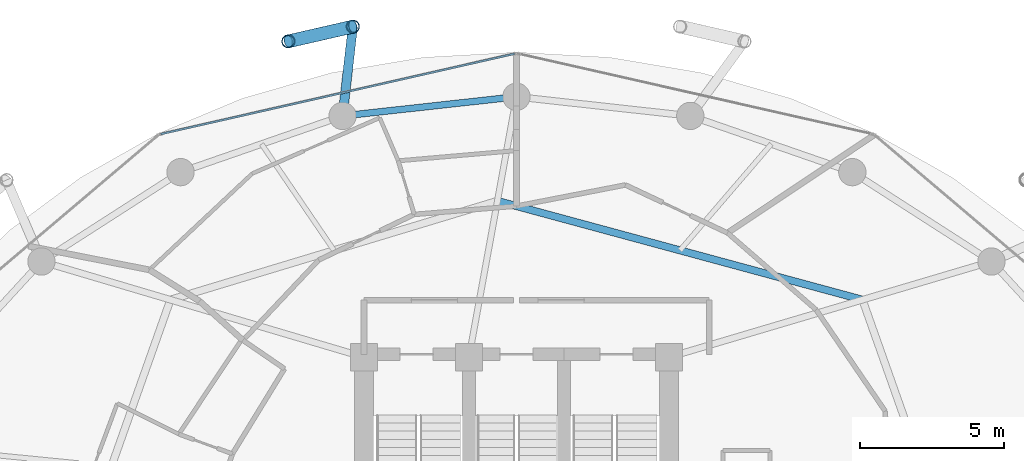
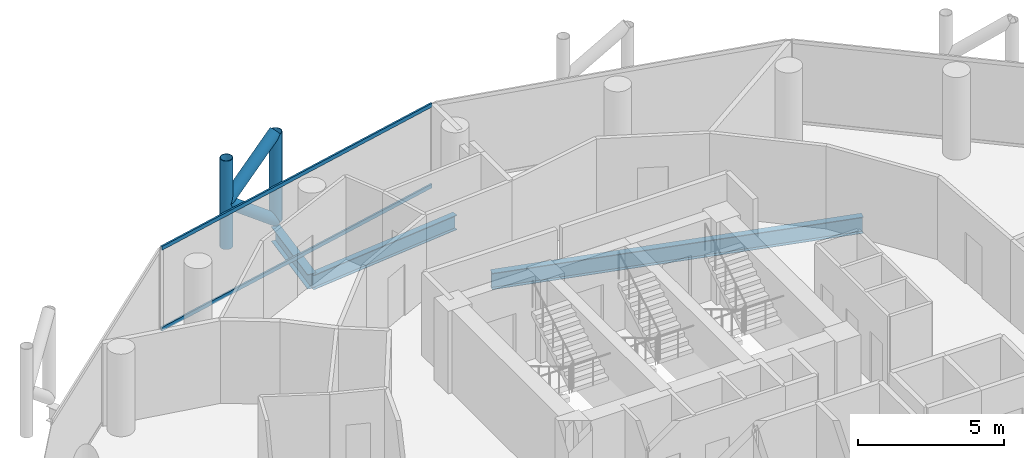
# One storey, part 16 of 26: 6 members, 3 beams, 1 element without a shape of its own.
"""IFC4 building model written with IfcOpenShell, lengths in metres."""

from ifc_helpers import new_model, si_unit, direction, frame, origin, origin_2d, place, context, subcontext, project, spatial, hollow_rectangle, hollow_circle, i_section, extrude, material, layer, layer_set, material_profile, profile_set, type_object, element, aggregate, save


model = new_model("IFC4")

# Units and contexts
model_context = context("Model", 3, precision=1e-05, world=origin(), true_north=direction((0.0, 1.0)))
body_context = subcontext(model_context, "Body", "Model", "MODEL_VIEW")
ifc_project = project(units=[si_unit("LENGTHUNIT", "METRE"), si_unit("AREAUNIT", "SQUARE_METRE"), si_unit("VOLUMEUNIT", "CUBIC_METRE"), si_unit("PLANEANGLEUNIT", "RADIAN"), si_unit("MASSUNIT", "GRAM", prefix="KILO")], contexts=[model_context])

# Site, building, storey
site_placement = place(None, origin())
site = spatial("IfcSite", under=ifc_project, at=site_placement, CompositionType="ELEMENT")
building_placement = place(site_placement, origin())
building = spatial("IfcBuilding", under=site, at=building_placement, Name="Nuhasar Tower", CompositionType="ELEMENT")
storey_placement = place(building_placement, frame((0.0, 0.0, 136.75)))
storey = spatial("IfcBuildingStorey", under=building, at=storey_placement, Name="L32", CompositionType="ELEMENT", Elevation=136.75)

# Beams
ifc_material_1 = material(Name="Steel S355", Category="steel")
ifc_material_profile_1 = material_profile(ifc_material_1, i_section(OverallWidth=0.25390625, OverallDepth=0.68408203125, WebThickness=0.012451171875, FlangeThickness=0.018798828125, at=origin_2d()), Name="W27X94")
ifc_profile_set_1 = profile_set([ifc_material_profile_1], Name="Steel S355")
beam_type_1 = type_object("IfcBeamType", Name="BM-INRING-W27X94", PredefinedType="BEAM", material=ifc_profile_set_1)
beam_1_placement = place(storey_placement, frame((51.027099609375, 39.2939453125, -0.592041015625), z_axis=(-0.96522695776, 0.261413312618, 0.0), x_axis=(-0.261413312618, -0.96522695776, 0.0)))
element("IfcBeam", 1, at=beam_1_placement, inside=storey, type_object=beam_type_1, Name="L32 Inner Header Beam 05", PredefinedType="BEAM", context=body_context, shape_type="SweptSolid", body=[
    extrude(i_section(OverallWidth=0.25390625, OverallDepth=0.68408203125, WebThickness=0.012451171875, FlangeThickness=0.018798828125, at=origin_2d()), origin(), (0.0, 0.0, 1.0), 13.14404296875),
])
ifc_material_profile_2 = material_profile(ifc_material_1, i_section(OverallWidth=0.22998046875, OverallDepth=0.616943359375, WebThickness=0.01318359375, FlangeThickness=0.022216796875, at=origin_2d()), Name="W24X94")
ifc_profile_set_2 = profile_set([ifc_material_profile_2], Name="Steel S355")
beam_type_2 = type_object("IfcBeamType", Name="BM-RING-W24X94", PredefinedType="SPANDREL", material=ifc_profile_set_2)
beam_2_placement = place(storey_placement, frame((39.0, 46.35009765625, -0.55908203125), z_axis=(-0.993981289157, -0.109549974015, 0.0), x_axis=(0.109549974015, -0.993981289157, 0.0)))
element("IfcBeam", 2, at=beam_2_placement, inside=storey, type_object=beam_type_2, Name="L32 Perimeter Ring Spandrel 07", PredefinedType="SPANDREL", context=body_context, shape_type="SweptSolid", body=[
    extrude(i_section(OverallWidth=0.22998046875, OverallDepth=0.616943359375, WebThickness=0.01318359375, FlangeThickness=0.022216796875, at=origin_2d()), origin(), (0.0, 0.0, 1.0), 6.07958984375),
])
ifc_material_profile_3 = material_profile(ifc_material_1, i_section(OverallWidth=0.323974609375, OverallDepth=0.611083984375, WebThickness=0.0126953125, FlangeThickness=0.01904296875, at=origin_2d()), Name="W24X104")
ifc_profile_set_3 = profile_set([ifc_material_profile_3], Name="Steel S355")
beam_type_3 = type_object("IfcBeamType", Name="BM-TIE-W24X104", PredefinedType="BEAM", material=ifc_profile_set_3)
beam_3_placement = place(storey_placement, frame((32.95703125, 45.68408203125, -0.554931640625), z_axis=(0.114167639647, 0.993461499031, 0.0), x_axis=(-0.993461499031, 0.114167639647, 0.0)))
element("IfcBeam", 3, at=beam_3_placement, inside=storey, type_object=beam_type_3, Name="L32 Exoskeleton Node Tie Beam 04", PredefinedType="BEAM", context=body_context, shape_type="SweptSolid", body=[
    extrude(i_section(OverallWidth=0.323974609375, OverallDepth=0.611083984375, WebThickness=0.0126953125, FlangeThickness=0.01904296875, at=origin_2d()), origin(), (0.0, 0.0, 1.0), 3.12646484375),
])

# Curtain wall, members
ifc_material_2 = material(Name="Aluminium 6063-T6", Category="aluminium")
ifc_layer = layer(ifc_material_2, 0.199951171875)
ifc_layer_set = layer_set([ifc_layer], Name="Aluminium 6063-T6")
curtain_wall_type = type_object("IfcCurtainWallType", Name="CW-Z2-HTL", PredefinedType="NOTDEFINED", material=ifc_layer_set)
curtain_wall_placement = place(storey_placement, origin())
curtain_wall = element("IfcCurtainWall", 4, at=curtain_wall_placement, inside=storey, type_object=curtain_wall_type, Name="L32 Unitised Curtain Wall 04", PredefinedType="NOTDEFINED")
ifc_material_profile_4 = material_profile(ifc_material_2, hollow_rectangle(XDim=0.070068359375, YDim=0.159912109375, WallThickness=0.00439453125, at=origin_2d()), Name="CWT-3")
ifc_profile_set_4 = profile_set([ifc_material_profile_4], Name="Aluminium 6063-T6")
member_type_1 = type_object("IfcMemberType", Name="CW-TRN-S3", PredefinedType="USERDEFINED", material=ifc_profile_set_4)
member_1_placement = place(storey_placement, frame((38.931640625, 47.844482421875, 0.034912109375), z_axis=(-0.975183434528, -0.221398439519, 0.0), x_axis=(0.221398439519, -0.975183434528, 0.0)))
member_1 = element("IfcMember", 5, at=member_1_placement, type_object=member_type_1, Name="CW-Z2 transom 1.1", ObjectType="TRANSOM", PredefinedType="USERDEFINED", context=body_context, shape_type="SweptSolid", body=[
    extrude(hollow_rectangle(XDim=0.070068359375, YDim=0.159912109375, WallThickness=0.00439453125, at=origin_2d()), origin(), (0.0, 0.0, 1.0), 12.606201171875),
])
member_2_placement = place(storey_placement, frame((38.931640625, 47.844482421875, 3.4150390625), z_axis=(-0.975183434528, -0.221398439519, 0.0), x_axis=(0.221398439519, -0.975183434528, 0.0)))
member_2 = element("IfcMember", 6, at=member_2_placement, type_object=member_type_1, Name="CW-Z2 transom 1.2", ObjectType="TRANSOM", PredefinedType="USERDEFINED", context=body_context, shape_type="SweptSolid", body=[
    extrude(hollow_rectangle(XDim=0.070068359375, YDim=0.159912109375, WallThickness=0.00439453125, at=origin_2d()), origin(), (0.0, 0.0, 1.0), 12.606201171875),
])
aggregate(curtain_wall, [member_1, member_2])

# Members
ifc_material_3 = material(Name="Steel S460", Category="steel")
ifc_material_profile_5 = material_profile(ifc_material_3, hollow_circle(Radius=0.228515625, WallThickness=0.022216796875, at=origin_2d()), Name="HSS457X22.2")
ifc_profile_set_5 = profile_set([ifc_material_profile_5], Name="Steel S460")
member_type_2 = type_object("IfcMemberType", Name="EXO-BRONZE-457", PredefinedType="BRACE", material=ifc_profile_set_5)
for number, where, z_axis, x_axis, name in (
    (7, (33.31396484375, 48.7900390625, 0.0), (0.0, 0.0, 1.0), (1.0, 0.0, 0.0), "L32 Exoskeleton Chord Column EC-04A"),
    (8, (31.072021484375, 48.27587890625, 0.0), (0.0, 0.0, 1.0), (1.0, 0.0, 0.0), "L32 Exoskeleton Chord Column EC-04B"),
):
    element("IfcMember", number, at=place(storey_placement, frame(where, z_axis=z_axis, x_axis=x_axis)), inside=storey, type_object=member_type_2, Name=name, PredefinedType="BRACE", context=body_context, shape_type="SweptSolid", body=[
        extrude(hollow_circle(Radius=0.228515625, WallThickness=0.022216796875, at=origin_2d()), origin(), (0.0, 0.0, 1.0), 3.699951171875),
    ])
member_3_placement = place(storey_placement, frame((33.31396484375, 48.7900390625, 0.0), z_axis=(-0.759499549084, -0.174181209885, 0.626754609927), x_axis=(0.223533724104, -0.974696195842, 0.0)))
element("IfcMember", 9, at=member_3_placement, inside=storey, type_object=member_type_2, Name="L32 Bronze Diagrid Brace W1-04", PredefinedType="BRACE", context=body_context, shape_type="SweptSolid", body=[
    extrude(hollow_circle(Radius=0.228515625, WallThickness=0.022216796875, at=origin_2d()), origin(), (0.0, 0.0, 1.0), 2.951904296875),
])
member_4_placement = place(storey_placement, frame((31.072021484375, 48.27587890625, 1.85009765625), z_axis=(0.759538919781, 0.174190239035, 0.626704388019), x_axis=(-0.223533724104, 0.974696195842, 0.0)))
element("IfcMember", 10, at=member_4_placement, inside=storey, type_object=member_type_2, Name="L32 Bronze Diagrid Brace W2-04", PredefinedType="BRACE", context=body_context, shape_type="SweptSolid", body=[
    extrude(hollow_circle(Radius=0.228515625, WallThickness=0.022216796875, at=origin_2d()), origin(), (0.0, 0.0, 1.0), 2.95166015625),
])

save(model, "model.ifc")
